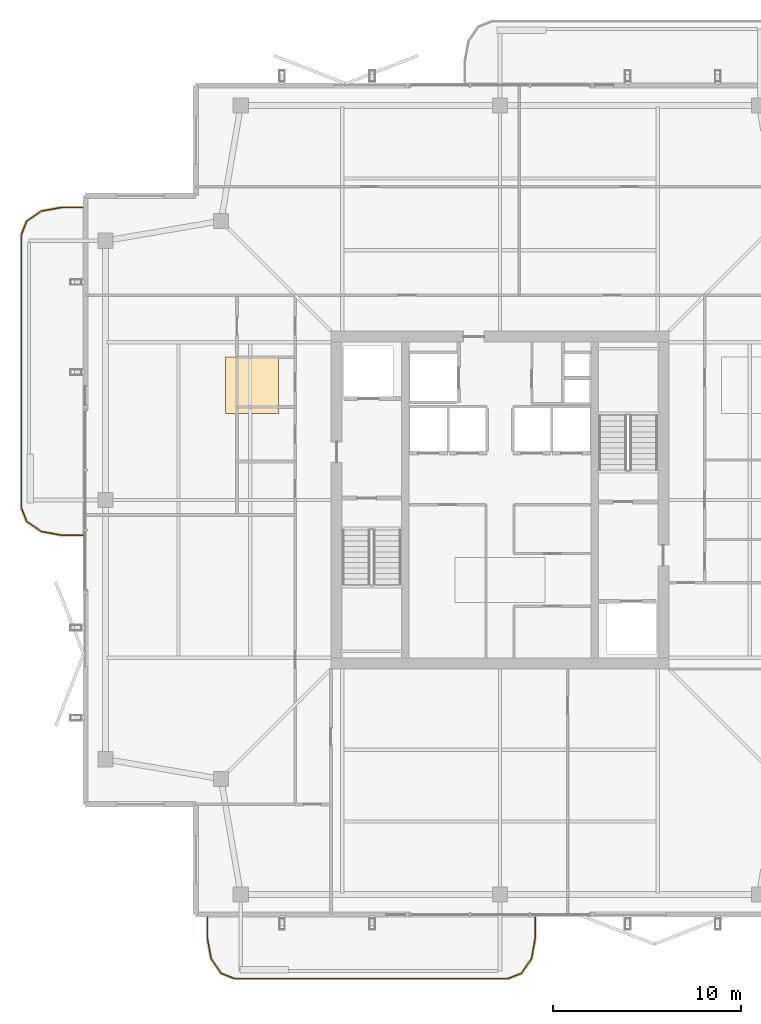
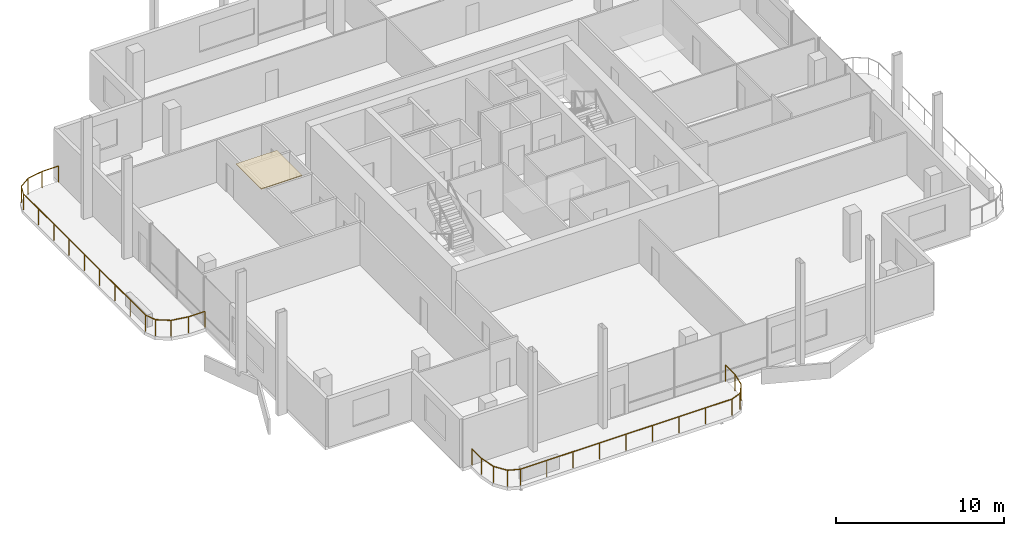
# One storey, part 20 of 22: 2 railings, 1 covering.
"""IFC4 building model written with IfcOpenShell, lengths in metres."""

from ifc_helpers import new_model, si_unit, direction, frame, origin, origin_2d, place, context, subcontext, project, spatial, polyline, rectangle, outline, extrude, material, layer, layer_set, type_object, element, save


model = new_model("IFC4")

# Units and contexts
model_context = context("Model", 3, precision=1e-05, world=origin(), true_north=direction((0.0, 1.0)))
body_context = subcontext(model_context, "Body", "Model", "MODEL_VIEW")
ifc_project = project(units=[si_unit("LENGTHUNIT", "METRE"), si_unit("AREAUNIT", "SQUARE_METRE"), si_unit("VOLUMEUNIT", "CUBIC_METRE"), si_unit("PLANEANGLEUNIT", "RADIAN"), si_unit("MASSUNIT", "GRAM", prefix="KILO")], contexts=[model_context])

# Site, building, storey
site_placement = place(None, origin())
site = spatial("IfcSite", under=ifc_project, at=site_placement, CompositionType="ELEMENT")
building_placement = place(site_placement, origin())
building = spatial("IfcBuilding", under=site, at=building_placement, Name="Belovzor Exchange Tower", CompositionType="ELEMENT")
storey_placement = place(building_placement, frame((0.0, 0.0, 336.75)))
storey = spatial("IfcBuildingStorey", under=building, at=storey_placement, Name="L84", CompositionType="ELEMENT", Elevation=336.75)

# Railings
ifc_material_1 = material(Name="Stainless Steel and Laminated Safety Glass", Category="steel")
railing_type = type_object("IfcRailingType", Name="Laminated Glass & Stainless Steel Balcony Balustrade 1200", PredefinedType="BALUSTRADE", material=ifc_material_1)
railing_1_placement = place(storey_placement, frame((13.22998046875, 6.590087890625, 0.0)))
element("IfcRailing", 1, at=railing_1_placement, inside=storey, type_object=railing_type, Name="GR-1 Balcony Balustrade L84 South", PredefinedType="BALUSTRADE", context=body_context, shape_type="SweptSolid", body=[
    extrude(rectangle(XDim=0.048095703125, YDim=0.048095703125, at=origin_2d()), frame((0.0, 0.0, 1.17578125), z_axis=(0.0, -1.0, 0.0), x_axis=(1.0, 0.0, 0.0)), (0.0, 0.0, 1.0), 1.133056640625),
    extrude(rectangle(XDim=0.048095703125, YDim=0.048095703125, at=origin_2d()), frame((0.0, -1.133056640625, 1.17578125), z_axis=(0.180122719713, -0.983644145941, 0.0), x_axis=(0.983644145941, 0.180122719713, 0.0)), (0.0, 0.0, 1.0), 1.09375),
    extrude(rectangle(XDim=0.048095703125, YDim=0.048095703125, at=origin_2d()), frame((0.197021484375, -2.208984375, 1.17578125), z_axis=(0.562768145367, -0.826614792125, 0.0), x_axis=(0.826614792125, 0.562768145367, 0.0)), (0.0, 0.0, 1.0), 0.9326171875),
    extrude(rectangle(XDim=0.048095703125, YDim=0.048095703125, at=origin_2d()), frame((0.721923828125, -2.97998046875, 1.17578125), z_axis=(0.930809580156, -0.365504480807, 0.0), x_axis=(0.365504480807, 0.930809580156, 0.0)), (0.0, 0.0, 1.0), 0.76611328125),
    extrude(rectangle(XDim=0.048095703125, YDim=0.048095703125, at=origin_2d()), frame((1.43505859375, -3.260009765625, 1.17578125), z_axis=(1.0, 0.0, 0.0), x_axis=(0.0, 1.0, 0.0)), (0.0, 0.0, 1.0), 14.570068359375),
    extrude(rectangle(XDim=0.048095703125, YDim=0.048095703125, at=origin_2d()), frame((16.005126953125, -3.260009765625, 1.17578125), z_axis=(0.930766990125, 0.365612923861, 0.0), x_axis=(-0.365612923861, 0.930766990125, 0.0)), (0.0, 0.0, 1.0), 0.765869140625),
    extrude(rectangle(XDim=0.048095703125, YDim=0.048095703125, at=origin_2d()), frame((16.718017578125, -2.97998046875, 1.17578125), z_axis=(0.562768145367, 0.826614792125, 0.0), x_axis=(-0.826614792125, 0.562768145367, 0.0)), (0.0, 0.0, 1.0), 0.9326171875),
    extrude(rectangle(XDim=0.048095703125, YDim=0.048095703125, at=origin_2d()), frame((17.242919921875, -2.208984375, 1.17578125), z_axis=(0.180122719713, 0.983644145941, 0.0), x_axis=(-0.983644145941, 0.180122719713, 0.0)), (0.0, 0.0, 1.0), 1.09375),
    extrude(rectangle(XDim=0.048095703125, YDim=0.048095703125, at=origin_2d()), frame((17.43994140625, -1.133056640625, 1.17578125), z_axis=(0.0, 1.0, 0.0), x_axis=(-1.0, 0.0, 0.0)), (0.0, 0.0, 1.0), 1.133056640625),
    extrude(rectangle(XDim=0.0419921875, YDim=0.0419921875, at=origin_2d()), origin(), (0.0, 0.0, 1.0), 1.15185546875),
    extrude(rectangle(XDim=0.0419921875, YDim=0.0419921875, at=origin_2d()), frame((0.0, -1.133056640625, 0.0)), (0.0, 0.0, 1.0), 1.15185546875),
    extrude(rectangle(XDim=0.0419921875, YDim=0.0419921875, at=origin_2d()), frame((0.197021484375, -2.208984375, 0.0)), (0.0, 0.0, 1.0), 1.15185546875),
    extrude(rectangle(XDim=0.0419921875, YDim=0.0419921875, at=origin_2d()), frame((0.721923828125, -2.97998046875, 0.0)), (0.0, 0.0, 1.0), 1.15185546875),
    extrude(rectangle(XDim=0.0419921875, YDim=0.0419921875, at=origin_2d()), frame((1.43505859375, -3.260009765625, 0.0)), (0.0, 0.0, 1.0), 1.15185546875),
    extrude(rectangle(XDim=0.0419921875, YDim=0.0419921875, at=origin_2d()), frame((3.25634765625, -3.260009765625, 0.0)), (0.0, 0.0, 1.0), 1.15185546875),
    extrude(rectangle(XDim=0.0419921875, YDim=0.0419921875, at=origin_2d()), frame((5.07763671875, -3.260009765625, 0.0)), (0.0, 0.0, 1.0), 1.15185546875),
    extrude(rectangle(XDim=0.0419921875, YDim=0.0419921875, at=origin_2d()), frame((6.89892578125, -3.260009765625, 0.0)), (0.0, 0.0, 1.0), 1.15185546875),
    extrude(rectangle(XDim=0.0419921875, YDim=0.0419921875, at=origin_2d()), frame((8.72021484375, -3.260009765625, 0.0)), (0.0, 0.0, 1.0), 1.15185546875),
    extrude(rectangle(XDim=0.0419921875, YDim=0.0419921875, at=origin_2d()), frame((10.541259765625, -3.260009765625, 0.0)), (0.0, 0.0, 1.0), 1.15185546875),
    extrude(rectangle(XDim=0.0419921875, YDim=0.0419921875, at=origin_2d()), frame((12.362548828125, -3.260009765625, 0.0)), (0.0, 0.0, 1.0), 1.15185546875),
    extrude(rectangle(XDim=0.0419921875, YDim=0.0419921875, at=origin_2d()), frame((14.183837890625, -3.260009765625, 0.0)), (0.0, 0.0, 1.0), 1.15185546875),
    extrude(rectangle(XDim=0.0419921875, YDim=0.0419921875, at=origin_2d()), frame((16.005126953125, -3.260009765625, 0.0)), (0.0, 0.0, 1.0), 1.15185546875),
    extrude(rectangle(XDim=0.0419921875, YDim=0.0419921875, at=origin_2d()), frame((16.718017578125, -2.97998046875, 0.0)), (0.0, 0.0, 1.0), 1.15185546875),
    extrude(rectangle(XDim=0.0419921875, YDim=0.0419921875, at=origin_2d()), frame((17.242919921875, -2.208984375, 0.0)), (0.0, 0.0, 1.0), 1.15185546875),
    extrude(rectangle(XDim=0.0419921875, YDim=0.0419921875, at=origin_2d()), frame((17.43994140625, -1.133056640625, 0.0)), (0.0, 0.0, 1.0), 1.15185546875),
    extrude(rectangle(XDim=0.0419921875, YDim=0.0419921875, at=origin_2d()), frame((17.43994140625, 0.0, 0.0)), (0.0, 0.0, 1.0), 1.15185546875),
])
railing_2_placement = place(storey_placement, frame((6.590087890625, 44.3701171875, 0.0)))
element("IfcRailing", 2, at=railing_2_placement, inside=storey, type_object=railing_type, Name="GR-1 Balcony Balustrade L84 West", PredefinedType="BALUSTRADE", context=body_context, shape_type="SweptSolid", body=[
    extrude(rectangle(XDim=0.048095703125, YDim=0.048095703125, at=origin_2d()), frame((0.0, 0.0, 1.17578125), z_axis=(-1.0, 0.0, 0.0), x_axis=(0.0, -1.0, 0.0)), (0.0, 0.0, 1.0), 1.133056640625),
    extrude(rectangle(XDim=0.048095703125, YDim=0.048095703125, at=origin_2d()), frame((-1.133056640625, 0.0, 1.17578125), z_axis=(-0.983644145941, -0.180122719713, 0.0), x_axis=(0.180122719713, -0.983644145941, 0.0)), (0.0, 0.0, 1.0), 1.09375),
    extrude(rectangle(XDim=0.048095703125, YDim=0.048095703125, at=origin_2d()), frame((-2.208984375, -0.197021484375, 1.17578125), z_axis=(-0.826493025367, -0.56294695933, 0.0), x_axis=(0.56294695933, -0.826493025367, 0.0)), (0.0, 0.0, 1.0), 0.932861328125),
    extrude(rectangle(XDim=0.048095703125, YDim=0.048095703125, at=origin_2d()), frame((-2.97998046875, -0.72216796875, 1.17578125), z_axis=(-0.365612923861, -0.930766990125, 0.0), x_axis=(0.930766990125, -0.365612923861, 0.0)), (0.0, 0.0, 1.0), 0.765869140625),
    extrude(rectangle(XDim=0.048095703125, YDim=0.048095703125, at=origin_2d()), frame((-3.260009765625, -1.43505859375, 1.17578125), z_axis=(0.0, -1.0, 0.0), x_axis=(1.0, 0.0, 0.0)), (0.0, 0.0, 1.0), 14.570068359375),
    extrude(rectangle(XDim=0.048095703125, YDim=0.048095703125, at=origin_2d()), frame((-3.260009765625, -16.005126953125, 1.17578125), z_axis=(0.365612923861, -0.930766990125, 0.0), x_axis=(0.930766990125, 0.365612923861, 0.0)), (0.0, 0.0, 1.0), 0.765869140625),
    extrude(rectangle(XDim=0.048095703125, YDim=0.048095703125, at=origin_2d()), frame((-2.97998046875, -16.718017578125, 1.17578125), z_axis=(0.826493025367, -0.56294695933, 0.0), x_axis=(0.56294695933, 0.826493025367, 0.0)), (0.0, 0.0, 1.0), 0.932861328125),
    extrude(rectangle(XDim=0.048095703125, YDim=0.048095703125, at=origin_2d()), frame((-2.208984375, -17.2431640625, 1.17578125), z_axis=(0.983644145941, -0.180122719713, 0.0), x_axis=(0.180122719713, 0.983644145941, 0.0)), (0.0, 0.0, 1.0), 1.09375),
    extrude(rectangle(XDim=0.048095703125, YDim=0.048095703125, at=origin_2d()), frame((-1.133056640625, -17.440185546875, 1.17578125), z_axis=(1.0, 0.0, 0.0), x_axis=(0.0, 1.0, 0.0)), (0.0, 0.0, 1.0), 1.133056640625),
    extrude(rectangle(XDim=0.0419921875, YDim=0.0419921875, at=origin_2d()), origin(), (0.0, 0.0, 1.0), 1.15185546875),
    extrude(rectangle(XDim=0.0419921875, YDim=0.0419921875, at=origin_2d()), frame((-1.133056640625, 0.0, 0.0)), (0.0, 0.0, 1.0), 1.15185546875),
    extrude(rectangle(XDim=0.0419921875, YDim=0.0419921875, at=origin_2d()), frame((-2.208984375, -0.197021484375, 0.0)), (0.0, 0.0, 1.0), 1.15185546875),
    extrude(rectangle(XDim=0.0419921875, YDim=0.0419921875, at=origin_2d()), frame((-2.97998046875, -0.72216796875, 0.0)), (0.0, 0.0, 1.0), 1.15185546875),
    extrude(rectangle(XDim=0.0419921875, YDim=0.0419921875, at=origin_2d()), frame((-3.260009765625, -1.43505859375, 0.0)), (0.0, 0.0, 1.0), 1.15185546875),
    extrude(rectangle(XDim=0.0419921875, YDim=0.0419921875, at=origin_2d()), frame((-3.260009765625, -3.25634765625, 0.0)), (0.0, 0.0, 1.0), 1.15185546875),
    extrude(rectangle(XDim=0.0419921875, YDim=0.0419921875, at=origin_2d()), frame((-3.260009765625, -5.07763671875, 0.0)), (0.0, 0.0, 1.0), 1.15185546875),
    extrude(rectangle(XDim=0.0419921875, YDim=0.0419921875, at=origin_2d()), frame((-3.260009765625, -6.89892578125, 0.0)), (0.0, 0.0, 1.0), 1.15185546875),
    extrude(rectangle(XDim=0.0419921875, YDim=0.0419921875, at=origin_2d()), frame((-3.260009765625, -8.72021484375, 0.0)), (0.0, 0.0, 1.0), 1.15185546875),
    extrude(rectangle(XDim=0.0419921875, YDim=0.0419921875, at=origin_2d()), frame((-3.260009765625, -10.541259765625, 0.0)), (0.0, 0.0, 1.0), 1.15185546875),
    extrude(rectangle(XDim=0.0419921875, YDim=0.0419921875, at=origin_2d()), frame((-3.260009765625, -12.362548828125, 0.0)), (0.0, 0.0, 1.0), 1.15185546875),
    extrude(rectangle(XDim=0.0419921875, YDim=0.0419921875, at=origin_2d()), frame((-3.260009765625, -14.183837890625, 0.0)), (0.0, 0.0, 1.0), 1.15185546875),
    extrude(rectangle(XDim=0.0419921875, YDim=0.0419921875, at=origin_2d()), frame((-3.260009765625, -16.005126953125, 0.0)), (0.0, 0.0, 1.0), 1.15185546875),
    extrude(rectangle(XDim=0.0419921875, YDim=0.0419921875, at=origin_2d()), frame((-2.97998046875, -16.718017578125, 0.0)), (0.0, 0.0, 1.0), 1.15185546875),
    extrude(rectangle(XDim=0.0419921875, YDim=0.0419921875, at=origin_2d()), frame((-2.208984375, -17.2431640625, 0.0)), (0.0, 0.0, 1.0), 1.15185546875),
    extrude(rectangle(XDim=0.0419921875, YDim=0.0419921875, at=origin_2d()), frame((-1.133056640625, -17.440185546875, 0.0)), (0.0, 0.0, 1.0), 1.15185546875),
    extrude(rectangle(XDim=0.0419921875, YDim=0.0419921875, at=origin_2d()), frame((0.0, -17.440185546875, 0.0)), (0.0, 0.0, 1.0), 1.15185546875),
])

# Covering
ifc_material_2 = material(Name="Perforated Powder-Coated Aluminium", Category="aluminium")
ifc_layer = layer(ifc_material_2, 0.06005859375)
ifc_layer_set = layer_set([ifc_layer], Name="Perforated Powder-Coated Aluminium")
covering_type = type_object("IfcCoveringType", Name="Perforated Acoustic Metal Tile Suspended Ceiling 60", PredefinedType="CEILING", material=ifc_layer_set)
covering_placement = place(storey_placement, frame((0.0, 0.0, 3.449951171875)))
element("IfcCovering", 3, at=covering_placement, inside=storey, type_object=covering_type, Name="CLG-AC60 Suspended Ceiling CLG-L84-Z3", PredefinedType="CEILING", context=body_context, shape_type="SweptSolid", body=[
    extrude(outline(polyline([(14.199951171875, 33.39990234375), (17.0, 33.39990234375), (17.0, 36.39990234375), (14.199951171875, 36.39990234375), (14.199951171875, 33.39990234375)])), origin(), (0.0, 0.0, 1.0), 0.06005859375),
])

save(model, "model.ifc")
